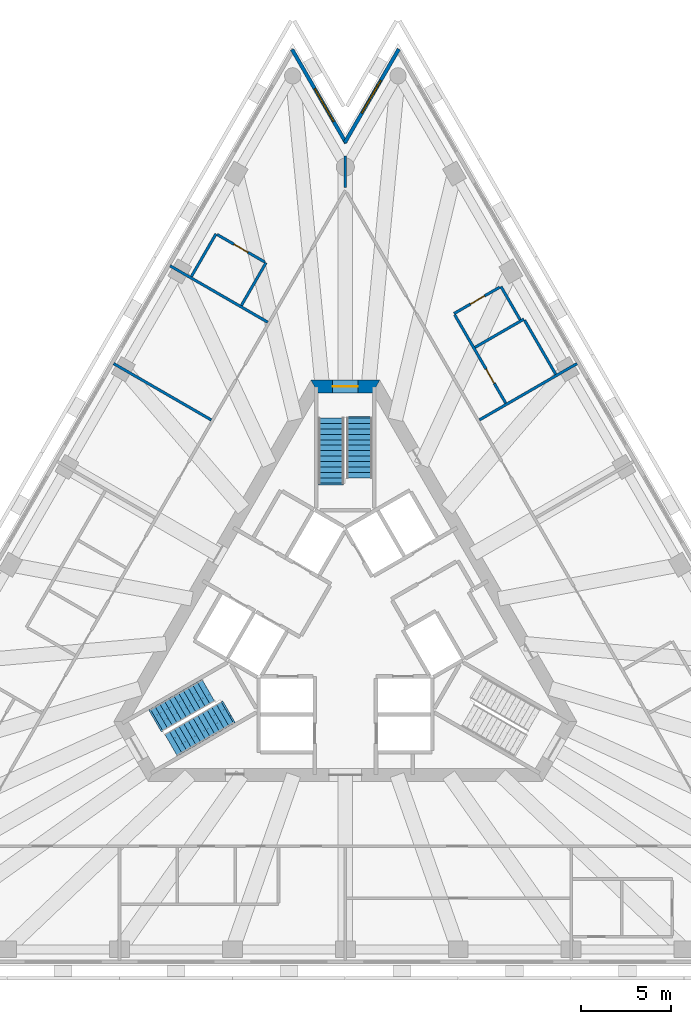
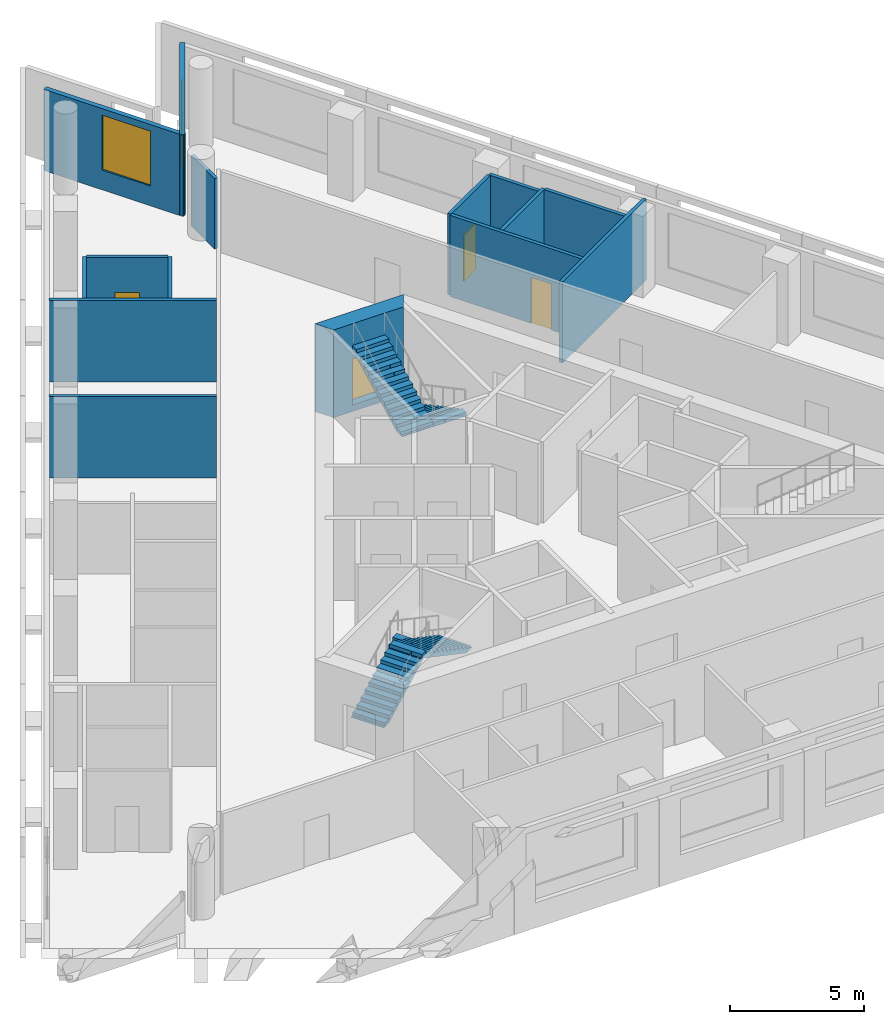
# One storey, part 7 of 10: 15 walls, 4 doors, 4 stair flights, 2 windows, 6 openings, 2 elements without a shape of their own.
"""IFC4 building model written with IfcOpenShell, lengths in metres."""

from ifc_helpers import new_model, si_unit, direction, frame, frame_2d, origin, place, context, subcontext, project, spatial, polyline, rectangle, outline, extrude, material, layer, layer_set, layer_usage, type_object, element, fill, aggregate, save


model = new_model("IFC4")

# Units and contexts
model_context = context("Model", 3, precision=1e-05, world=origin(), true_north=direction((0.0, 1.0)))
body_context = subcontext(model_context, "Body", "Model", "MODEL_VIEW")
ifc_project = project(units=[si_unit("LENGTHUNIT", "METRE"), si_unit("AREAUNIT", "SQUARE_METRE"), si_unit("VOLUMEUNIT", "CUBIC_METRE"), si_unit("PLANEANGLEUNIT", "RADIAN"), si_unit("MASSUNIT", "GRAM", prefix="KILO")], contexts=[model_context])

# Site, building, storey
site_placement = place(None, origin())
site = spatial("IfcSite", under=ifc_project, at=site_placement, CompositionType="ELEMENT")
building_placement = place(site_placement, origin())
building = spatial("IfcBuilding", under=site, at=building_placement, Name="Triada Interchange Tower", CompositionType="ELEMENT")
storey_placement = place(building_placement, frame((0.0, 0.0, 191.300048828125)))
storey = spatial("IfcBuildingStorey", under=building, at=storey_placement, Name="L44", CompositionType="ELEMENT", Elevation=191.300048828125)

# Wall, opening, door
ifc_material_1 = material(Name="Concrete C50/60", Category="concrete")
ifc_layer_1 = layer(ifc_material_1, 0.699951171875)
ifc_layer_set_1 = layer_set([ifc_layer_1], Name="Core wall C 700")
wall_type_1 = type_object("IfcWallType", Name="Core wall C 700", PredefinedType="SHEAR", material=ifc_layer_set_1)
wall_1_placement = place(storey_placement, frame((1.702880859375, 13.35009765625, -0.300048828125), z_axis=(0.0, 0.0, 1.0), x_axis=(-1.0, 0.0, 0.0)))
wall_1 = element("IfcWall", 1, at=wall_1_placement, inside=storey, type_object=wall_type_1, Name="Core wall WC01 L44", PredefinedType="SHEAR", context=body_context, shape_type="SweptSolid", body=[
    extrude(outline(polyline([(-0.201904296875, -0.35009765625), (1.703125, -0.35009765625), (3.60791015625, -0.35009765625), (3.2041015625, 0.35009765625), (1.703125, 0.35009765625), (0.201904296875, 0.35009765625), (-0.201904296875, -0.35009765625)])), origin(), (0.0, 0.0, 1.0), 4.0),
])
opening_1_placement = place(wall_1_placement, frame((1.0029296875, 0.0, 0.300048828125)))
opening_1 = element("IfcOpeningElement", 2, at=opening_1_placement, cuts=wall_1, Name="Opening D44-40", PredefinedType="OPENING", context=body_context, shape_type="SweptSolid", body=[
    extrude(rectangle(XDim=1.39990234375, YDim=2.10009765625, at=frame_2d((0.699951171875, 1.050048828125))), frame((0.0, 0.360107421875, 0.0), z_axis=(0.0, -1.0, 0.0), x_axis=(1.0, 0.0, 0.0)), (0.0, 0.0, 1.0), 0.72021484375),
])
ifc_material_2 = material(Name="Steel S235 door leaf", Category="steel")
door_type_1 = type_object("IfcDoorType", Name="STAIR DOOR 1400 EI2 90-C5S200", OperationType="DOUBLE_DOOR_SINGLE_SWING", PredefinedType="DOOR", material=ifc_material_2)
door_1_placement = place(opening_1_placement, origin())
door_1 = element("IfcDoor", 3, at=door_1_placement, inside=storey, type_object=door_type_1, Name="Door D44-40 L44", OperationType="DOUBLE_DOOR_SINGLE_SWING", OverallHeight=2.10009765625, OverallWidth=1.39990234375, PredefinedType="DOOR", context=body_context, shape_type="SweptSolid", body=[
    extrude(rectangle(XDim=1.39990234375, YDim=2.10009765625, at=frame_2d((0.699951171875, 1.050048828125))), frame((0.0, 0.02490234375, 0.0), z_axis=(0.0, -1.0, 0.0), x_axis=(1.0, 0.0, 0.0)), (0.0, 0.0, 1.0), 0.050048828125),
])
fill(opening_1, door_1)

# Wall, opening, window
ifc_material_3 = material(Name="Cement board")
ifc_layer_2 = layer(ifc_material_3, 0.02001953125, Name="Cement board cladding")
ifc_material_4 = material(Name="Sheathing board")
ifc_layer_3 = layer(ifc_material_4, 0.014892578125, Name="Sheathing board")
ifc_material_5 = material(Name="Mineral wool")
ifc_layer_4 = layer(ifc_material_5, 0.14990234375, Name="Mineral wool between steel studs")
ifc_material_6 = material(Name="Gypsum board")
ifc_layer_5 = layer(ifc_material_6, 0.014892578125, Name="Plasterboard lining")
ifc_layer_set_2 = layer_set([ifc_layer_2, ifc_layer_3, ifc_layer_4, ifc_layer_5], Name="External wall 200")
ifc_layer_usage = layer_usage(ifc_layer_set_2, "AXIS2", "POSITIVE", -0.10009765625)
wall_type_2 = type_object("IfcWallType", Name="External wall 200", PredefinedType="ELEMENTEDWALL", material=ifc_layer_set_2)
wall_2_placement = place(storey_placement, frame((2.958984375, 32.02001953125, 0.0), z_axis=(0.0, 0.0, 1.0), x_axis=(-0.499967146315, -0.866044371037, 0.0)))
wall_2 = element("IfcWall", 4, at=wall_2_placement, inside=storey, type_object=wall_type_2, material=ifc_layer_usage, Name="External wall L44 N-1", PredefinedType="ELEMENTEDWALL", context=body_context, shape_type="SweptSolid", body=[
    extrude(rectangle(XDim=5.98828125, YDim=0.199951171875, at=frame_2d((2.994140625, 0.0))), origin(), (0.0, 0.0, 1.0), 3.699951171875),
])
opening_2_placement = place(wall_2_placement, frame((1.989990234375, 0.0, 0.89990234375)))
opening_2 = element("IfcOpeningElement", 5, at=opening_2_placement, cuts=wall_2, Name="Opening WC29", PredefinedType="OPENING", context=body_context, shape_type="SweptSolid", body=[
    extrude(rectangle(XDim=2.10009765625, YDim=2.5, at=frame_2d((1.050048828125, 1.25))), frame((0.0, 0.10986328125, 0.0), z_axis=(0.0, -1.0, 0.0), x_axis=(1.0, 0.0, 0.0)), (0.0, 0.0, 1.0), 0.219970703125),
])
ifc_material_7 = material(Name="Double glazed aluminium window", Category="aluminium")
window_type = type_object("IfcWindowType", Name="Ribbon window C pocket", PartitioningType="SINGLE_PANEL", PredefinedType="WINDOW", material=ifc_material_7)
window_1_placement = place(opening_2_placement, origin())
window_1 = element("IfcWindow", 6, at=window_1_placement, inside=storey, type_object=window_type, Name="Window L44 N-1 1", OverallHeight=2.5, OverallWidth=2.10009765625, PartitioningType="SINGLE_PANEL", PredefinedType="WINDOW", context=body_context, shape_type="SweptSolid", body=[
    extrude(rectangle(XDim=2.10009765625, YDim=2.5, at=frame_2d((1.050048828125, 1.25))), frame((0.0, 0.030029296875, 0.0), z_axis=(0.0, -1.0, 0.0), x_axis=(1.0, 0.0, 0.0)), (0.0, 0.0, 1.0), 0.06005859375),
])
fill(opening_2, window_1)

wall_3_placement = place(storey_placement, frame((0.044921875, 26.81689453125, 0.0), z_axis=(0.0, 0.0, 1.0), x_axis=(-0.499967146315, 0.866044371037, 0.0)))
wall_3 = element("IfcWall", 7, at=wall_3_placement, inside=storey, type_object=wall_type_2, material=ifc_layer_usage, Name="External wall L44 N-2", PredefinedType="ELEMENTEDWALL", context=body_context, shape_type="SweptSolid", body=[
    extrude(rectangle(XDim=5.98828125, YDim=0.199951171875, at=frame_2d((2.994140625, 0.0))), origin(), (0.0, 0.0, 1.0), 3.699951171875),
])
opening_3_placement = place(wall_3_placement, frame((1.389892578125, 0.0, 0.89990234375)))
opening_3 = element("IfcOpeningElement", 8, at=opening_3_placement, cuts=wall_3, Name="Opening WC30", PredefinedType="OPENING", context=body_context, shape_type="SweptSolid", body=[
    extrude(rectangle(XDim=2.10009765625, YDim=2.5, at=frame_2d((1.050048828125, 1.25))), frame((0.0, 0.10986328125, 0.0), z_axis=(0.0, -1.0, 0.0), x_axis=(1.0, 0.0, 0.0)), (0.0, 0.0, 1.0), 0.219970703125),
])
window_2_placement = place(opening_3_placement, origin())
window_2 = element("IfcWindow", 9, at=window_2_placement, inside=storey, type_object=window_type, Name="Window L44 N-2 1", OverallHeight=2.5, OverallWidth=2.10009765625, PartitioningType="SINGLE_PANEL", PredefinedType="WINDOW", context=body_context, shape_type="SweptSolid", body=[
    extrude(rectangle(XDim=2.10009765625, YDim=2.5, at=frame_2d((1.050048828125, 1.25))), frame((0.0, 0.030029296875, 0.0), z_axis=(0.0, -1.0, 0.0), x_axis=(1.0, 0.0, 0.0)), (0.0, 0.0, 1.0), 0.06005859375),
])
fill(opening_3, window_2)

# Walls
ifc_material_8 = material(Name="Gypsum board partition")
ifc_layer_6 = layer(ifc_material_8, 0.14990234375)
ifc_layer_set_3 = layer_set([ifc_layer_6], Name="PARTITION 150 EI 180")
wall_type_3 = type_object("IfcWallType", Name="PARTITION 150 EI 180", PredefinedType="PARTITIONING", material=ifc_layer_set_3)
for number, where, z_axis, x_axis, name in (
    (10, (-12.822998046875, 14.618896484375, 0.0), (0.0, 0.0, 1.0), (0.866036385336, -0.499980978912, 0.0), "Wall L44 12"),
    (11, (-9.698974609375, 20.030029296875, 0.0), (0.0, 0.0, 1.0), (0.86601944389, -0.500010322698, 0.0), "Wall L44 15"),
):
    element("IfcWall", number, at=place(storey_placement, frame(where, z_axis=z_axis, x_axis=x_axis)), inside=storey, type_object=wall_type_3, Name=name, PredefinedType="PARTITIONING", context=body_context, shape_type="SweptSolid", body=[
        extrude(rectangle(XDim=6.239990234375, YDim=0.14990234375, at=frame_2d((3.1201171875, 0.0))), origin(), (0.0, 0.0, 1.0), 3.699951171875),
    ])
wall_4_placement = place(storey_placement, frame((0.0, 24.35009765625, 0.0), z_axis=(0.0, 0.0, 1.0), x_axis=(0.0, 1.0, 0.0)))
element("IfcWall", 12, at=wall_4_placement, inside=storey, type_object=wall_type_3, Name="Wall L44 20", PredefinedType="PARTITIONING", context=body_context, shape_type="SweptSolid", body=[
    extrude(rectangle(XDim=1.764892578125, YDim=0.14990234375, at=frame_2d((0.88232421875, 0.0))), origin(), (0.0, 0.0, 1.0), 3.199951171875),
])
wall_5_placement = place(storey_placement, frame((7.4189453125, 11.4990234375, 0.0), z_axis=(0.0, 0.0, 1.0), x_axis=(0.866036385336, 0.499980978912, 0.0)))
element("IfcWall", 13, at=wall_5_placement, inside=storey, type_object=wall_type_3, Name="Wall L44 22", PredefinedType="PARTITIONING", context=body_context, shape_type="SweptSolid", body=[
    extrude(rectangle(XDim=6.239990234375, YDim=0.14990234375, at=frame_2d((3.1201171875, 0.0))), origin(), (0.0, 0.0, 1.0), 3.699951171875),
])
ifc_layer_7 = layer(ifc_material_8, 0.14990234375)
ifc_layer_set_4 = layer_set([ifc_layer_7], Name="PARTITION 150 EI 90")
wall_type_4 = type_object("IfcWallType", Name="PARTITION 150 EI 90", PredefinedType="PARTITIONING", material=ifc_layer_set_4)
for number, where, z_axis, x_axis, name in (
    (14, (-8.52099609375, 19.43603515625, 0.0), (0.0, 0.0, 1.0), (0.500156697144, 0.865934915743, 0.0), "Wall L44 28"),
    (15, (-5.751953125, 17.837890625, 0.0), (0.0, 0.0, 1.0), (0.500117899823, 0.865957323588, 0.0), "Wall L44 31"),
):
    element("IfcWall", number, at=place(storey_placement, frame(where, z_axis=z_axis, x_axis=x_axis)), inside=storey, type_object=wall_type_4, Name=name, PredefinedType="PARTITIONING", context=body_context, shape_type="SweptSolid", body=[
        extrude(rectangle(XDim=2.725341796875, YDim=0.14990234375, at=frame_2d((1.36279296875, 0.0))), origin(), (0.0, 0.0, 1.0), 3.699951171875),
    ])

# Wall, opening, door
wall_6_placement = place(storey_placement, frame((-7.093017578125, 21.759033203125, 0.0), z_axis=(0.0, 0.0, 1.0), x_axis=(0.865976105257, -0.500085377835, 0.0)))
wall_6 = element("IfcWall", 16, at=wall_6_placement, inside=storey, type_object=wall_type_4, Name="Wall L44 33", PredefinedType="PARTITIONING", context=body_context, shape_type="SweptSolid", body=[
    extrude(rectangle(XDim=3.04736328125, YDim=0.14990234375, at=frame_2d((1.523681640625, 0.0))), origin(), (0.0, 0.0, 1.0), 3.699951171875),
])
opening_4_placement = place(wall_6_placement, frame((1.074951171875, 0.0, 0.0)))
opening_4 = element("IfcOpeningElement", 17, at=opening_4_placement, cuts=wall_6, Name="Opening D44-29", PredefinedType="OPENING", context=body_context, shape_type="SweptSolid", body=[
    extrude(rectangle(XDim=0.89990234375, YDim=2.10009765625, at=frame_2d((0.449951171875, 1.050048828125))), frame((0.0, 0.0849609375, 0.0), z_axis=(0.0, -1.0, 0.0), x_axis=(1.0, 0.0, 0.0)), (0.0, 0.0, 1.0), 0.169921875),
])
door_type_2 = type_object("IfcDoorType", Name="ROOM DOOR 900 EI2 45-C5S200", OperationType="NOTDEFINED", PredefinedType="DOOR", material=ifc_material_2)
door_2_placement = place(opening_4_placement, origin())
door_2 = element("IfcDoor", 18, at=door_2_placement, inside=storey, type_object=door_type_2, Name="Door D44-29 L44", OperationType="SINGLE_SWING_RIGHT", OverallHeight=2.10009765625, OverallWidth=0.89990234375, PredefinedType="DOOR", context=body_context, shape_type="SweptSolid", body=[
    extrude(rectangle(XDim=0.89990234375, YDim=2.10009765625, at=frame_2d((0.449951171875, 1.050048828125))), frame((0.0, 0.02490234375, 0.0), z_axis=(0.0, -1.0, 0.0), x_axis=(1.0, 0.0, 0.0)), (0.0, 0.0, 1.0), 0.050048828125),
])
fill(opening_4, door_2)

# Walls
wall_7_placement = place(storey_placement, frame((7.177978515625, 15.51708984375, 0.0), z_axis=(0.0, 0.0, 1.0), x_axis=(0.866084027935, 0.499898446243, 0.0)))
element("IfcWall", 19, at=wall_7_placement, inside=storey, type_object=wall_type_4, Name="Wall L44 35", PredefinedType="PARTITIONING", context=body_context, shape_type="SweptSolid", body=[
    extrude(rectangle(XDim=3.122314453125, YDim=0.14990234375, at=frame_2d((1.56103515625, 0.0))), origin(), (0.0, 0.0, 1.0), 3.699951171875),
])
wall_8_placement = place(storey_placement, frame((8.611083984375, 18.885009765625, 0.0), z_axis=(0.0, 0.0, 1.0), x_axis=(0.500017365573, -0.866015377534, 0.0)))
element("IfcWall", 20, at=wall_8_placement, inside=storey, type_object=wall_type_4, Name="Wall L44 36", PredefinedType="PARTITIONING", context=body_context, shape_type="SweptSolid", body=[
    extrude(rectangle(XDim=2.1259765625, YDim=0.14990234375, at=frame_2d((1.06298828125, 0.0))), origin(), (0.0, 0.0, 1.0), 3.699951171875),
])

# Wall, opening, door
wall_9_placement = place(storey_placement, frame((6.012939453125, 17.385009765625, 0.0), z_axis=(0.0, 0.0, 1.0), x_axis=(0.866098016745, 0.499874209568, 0.0)))
wall_9 = element("IfcWall", 21, at=wall_9_placement, inside=storey, type_object=wall_type_4, Name="Wall L44 37", PredefinedType="PARTITIONING", context=body_context, shape_type="SweptSolid", body=[
    extrude(rectangle(XDim=2.924560546875, YDim=0.14990234375, at=frame_2d((1.46240234375, 0.0))), origin(), (0.0, 0.0, 1.0), 3.699951171875),
])
opening_5_placement = place(wall_9_placement, frame((1.050048828125, 0.0, 0.0)))
opening_5 = element("IfcOpeningElement", 22, at=opening_5_placement, cuts=wall_9, Name="Opening D44-27", PredefinedType="OPENING", context=body_context, shape_type="SweptSolid", body=[
    extrude(rectangle(XDim=0.89990234375, YDim=2.10009765625, at=frame_2d((0.449951171875, 1.050048828125))), frame((0.0, 0.0849609375, 0.0), z_axis=(0.0, -1.0, 0.0), x_axis=(1.0, 0.0, 0.0)), (0.0, 0.0, 1.0), 0.169921875),
])
door_type_3 = type_object("IfcDoorType", Name="SERVICE DOOR 900 EI2 45-C5S200", OperationType="NOTDEFINED", PredefinedType="DOOR", material=ifc_material_2)
door_3_placement = place(opening_5_placement, origin())
door_3 = element("IfcDoor", 23, at=door_3_placement, inside=storey, type_object=door_type_3, Name="Door D44-27 L44", OperationType="SINGLE_SWING_LEFT", OverallHeight=2.10009765625, OverallWidth=0.89990234375, PredefinedType="DOOR", context=body_context, shape_type="SweptSolid", body=[
    extrude(rectangle(XDim=0.89990234375, YDim=2.10009765625, at=frame_2d((0.449951171875, 1.050048828125))), frame((0.0, 0.02490234375, 0.0), z_axis=(0.0, -1.0, 0.0), x_axis=(1.0, 0.0, 0.0)), (0.0, 0.0, 1.0), 0.050048828125),
])
fill(opening_5, door_3)

wall_10_placement = place(storey_placement, frame((6.051025390625, 17.320068359375, 0.0), z_axis=(0.0, 0.0, 1.0), x_axis=(0.499991765245, -0.86603015807, 0.0)))
wall_10 = element("IfcWall", 24, at=wall_10_placement, inside=storey, type_object=wall_type_4, Name="Wall L44 38", PredefinedType="PARTITIONING", context=body_context, shape_type="SweptSolid", body=[
    extrude(rectangle(XDim=5.64990234375, YDim=0.14990234375, at=frame_2d((2.824951171875, 0.0))), origin(), (0.0, 0.0, 1.0), 3.699951171875),
])
opening_6_placement = place(wall_10_placement, frame((3.47509765625, 0.0, 0.0)))
opening_6 = element("IfcOpeningElement", 25, at=opening_6_placement, cuts=wall_10, Name="Opening D44-26", PredefinedType="OPENING", context=body_context, shape_type="SweptSolid", body=[
    extrude(rectangle(XDim=0.89990234375, YDim=2.10009765625, at=frame_2d((0.449951171875, 1.050048828125))), frame((0.0, 0.0849609375, 0.0), z_axis=(0.0, -1.0, 0.0), x_axis=(1.0, 0.0, 0.0)), (0.0, 0.0, 1.0), 0.169921875),
])
door_4_placement = place(opening_6_placement, origin())
door_4 = element("IfcDoor", 26, at=door_4_placement, inside=storey, type_object=door_type_2, Name="Door D44-26 L44", OperationType="SINGLE_SWING_RIGHT", OverallHeight=2.10009765625, OverallWidth=0.89990234375, PredefinedType="DOOR", context=body_context, shape_type="SweptSolid", body=[
    extrude(rectangle(XDim=0.89990234375, YDim=2.10009765625, at=frame_2d((0.449951171875, 1.050048828125))), frame((0.0, 0.02490234375, 0.0), z_axis=(0.0, -1.0, 0.0), x_axis=(1.0, 0.0, 0.0)), (0.0, 0.0, 1.0), 0.050048828125),
])
fill(opening_6, door_4)

# Wall
wall_11_placement = place(storey_placement, frame((9.919921875, 17.012939453125, 0.0), z_axis=(0.0, 0.0, 1.0), x_axis=(0.49998991961, -0.866031223622, 0.0)))
element("IfcWall", 27, at=wall_11_placement, inside=storey, type_object=wall_type_4, Name="Wall L44 39", PredefinedType="PARTITIONING", context=body_context, shape_type="SweptSolid", body=[
    extrude(rectangle(XDim=3.4501953125, YDim=0.14990234375, at=frame_2d((1.72509765625, 0.0))), origin(), (0.0, 0.0, 1.0), 3.699951171875),
])

# Stair, stair flights
ifc_material_9 = material(Name="Concrete C35/45", Category="concrete")
stair_type = type_object("IfcStairType", Name="HALF TURN STAIR 1400", PredefinedType="HALF_TURN_STAIR", material=ifc_material_9)
stair_1_placement = place(storey_placement, origin())
stair_1 = element("IfcStair", 28, at=stair_1_placement, inside=storey, type_object=stair_type, Name="Exit stair S44-1", PredefinedType="HALF_TURN_STAIR")
stair_flight_type = type_object("IfcStairFlightType", Name="STRAIGHT STAIR FLIGHT 1400", PredefinedType="STRAIGHT", material=ifc_material_9)
stair_flight_1_placement = place(storey_placement, frame((0.800048828125, 11.60009765625, 0.0), z_axis=(0.0, 0.0, 1.0), x_axis=(0.0, -1.0, 0.0)))
stair_flight_1 = element("IfcStairFlight", 29, at=stair_flight_1_placement, type_object=stair_flight_type, Name="S44-1 flight 1", NumberOfRisers=12, NumberOfTreads=11, PredefinedType="STRAIGHT", RiserHeight=0.16, TreadLength=0.3, context=body_context, shape_type="SweptSolid", body=[
    extrude(outline(polyline([(-0.10009765625, 0.0), (-0.10009765625, 0.02001953125), (0.0, 0.02001953125), (0.0, 0.159912109375), (0.300048828125, 0.159912109375), (0.300048828125, 0.320068359375), (0.60009765625, 0.320068359375), (0.60009765625, 0.47998046875), (0.89990234375, 0.47998046875), (0.89990234375, 0.639892578125), (1.199951171875, 0.639892578125), (1.199951171875, 0.800048828125), (1.5, 0.800048828125), (1.5, 0.9599609375), (1.800048828125, 0.9599609375), (1.800048828125, 1.1201171875), (2.10009765625, 1.1201171875), (2.10009765625, 1.280029296875), (2.39990234375, 1.280029296875), (2.39990234375, 1.43994140625), (2.699951171875, 1.43994140625), (2.699951171875, 1.60009765625), (3.0, 1.60009765625), (3.0, 1.760009765625), (3.300048828125, 1.760009765625), (3.303955078125, 1.760009765625), (3.303955078125, 1.919921875), (3.303955078125, 1.590087890625), (0.318603515625, 0.0), (-0.10009765625, 0.0)])), frame((0.0, 0.699951171875, 0.0), z_axis=(0.0, -1.0, 0.0), x_axis=(1.0, 0.0, 0.0)), (0.0, 0.0, 1.0), 0.46533203125),
    extrude(outline(polyline([(-0.10009765625, 0.0), (-0.10009765625, 0.02001953125), (0.0, 0.02001953125), (0.0, 0.159912109375), (0.300048828125, 0.159912109375), (0.300048828125, 0.320068359375), (0.60009765625, 0.320068359375), (0.60009765625, 0.47998046875), (0.89990234375, 0.47998046875), (0.89990234375, 0.639892578125), (1.199951171875, 0.639892578125), (1.199951171875, 0.800048828125), (1.5, 0.800048828125), (1.5, 0.9599609375), (1.800048828125, 0.9599609375), (1.800048828125, 1.1201171875), (2.10009765625, 1.1201171875), (2.10009765625, 1.280029296875), (2.39990234375, 1.280029296875), (2.39990234375, 1.43994140625), (2.699951171875, 1.43994140625), (2.699951171875, 1.60009765625), (3.0, 1.60009765625), (3.0, 1.760009765625), (3.300048828125, 1.760009765625), (3.303955078125, 1.760009765625), (3.303955078125, 1.919921875), (3.303955078125, 1.590087890625), (0.318603515625, 0.0), (-0.10009765625, 0.0)])), frame((0.0, 0.232666015625, 0.0), z_axis=(0.0, -1.0, 0.0), x_axis=(1.0, 0.0, 0.0)), (0.0, 0.0, 1.0), 0.46533203125),
    extrude(outline(polyline([(-0.10009765625, 0.0), (-0.10009765625, 0.02001953125), (0.0, 0.02001953125), (0.0, 0.159912109375), (0.300048828125, 0.159912109375), (0.300048828125, 0.320068359375), (0.60009765625, 0.320068359375), (0.60009765625, 0.47998046875), (0.89990234375, 0.47998046875), (0.89990234375, 0.639892578125), (1.199951171875, 0.639892578125), (1.199951171875, 0.800048828125), (1.5, 0.800048828125), (1.5, 0.9599609375), (1.800048828125, 0.9599609375), (1.800048828125, 1.1201171875), (2.10009765625, 1.1201171875), (2.10009765625, 1.280029296875), (2.39990234375, 1.280029296875), (2.39990234375, 1.43994140625), (2.699951171875, 1.43994140625), (2.699951171875, 1.60009765625), (3.0, 1.60009765625), (3.0, 1.760009765625), (3.300048828125, 1.760009765625), (3.303955078125, 1.760009765625), (3.303955078125, 1.919921875), (3.303955078125, 1.590087890625), (0.318603515625, 0.0), (-0.10009765625, 0.0)])), frame((0.0, -0.234619140625, 0.0), z_axis=(0.0, -1.0, 0.0), x_axis=(1.0, 0.0, 0.0)), (0.0, 0.0, 1.0), 0.46533203125),
])
stair_flight_2_placement = place(storey_placement, frame((-0.800048828125, 8.0, 1.919921875), z_axis=(0.0, 0.0, 1.0), x_axis=(0.0, 1.0, 0.0)))
stair_flight_2 = element("IfcStairFlight", 30, at=stair_flight_2_placement, type_object=stair_flight_type, Name="S44-1 flight 2", NumberOfRisers=13, NumberOfTreads=12, PredefinedType="STRAIGHT", RiserHeight=0.16, TreadLength=0.3, context=body_context, shape_type="SweptSolid", body=[
    extrude(outline(polyline([(-0.10009765625, 0.0), (-0.10009765625, 0.02001953125), (0.0, 0.02001953125), (0.0, 0.159912109375), (0.300048828125, 0.159912109375), (0.300048828125, 0.320068359375), (0.60009765625, 0.320068359375), (0.60009765625, 0.47998046875), (0.89990234375, 0.47998046875), (0.89990234375, 0.639892578125), (1.199951171875, 0.639892578125), (1.199951171875, 0.800048828125), (1.5, 0.800048828125), (1.5, 0.9599609375), (1.800048828125, 0.9599609375), (1.800048828125, 1.1201171875), (2.10009765625, 1.1201171875), (2.10009765625, 1.280029296875), (2.39990234375, 1.280029296875), (2.39990234375, 1.43994140625), (2.699951171875, 1.43994140625), (2.699951171875, 1.60009765625), (3.0, 1.60009765625), (3.0, 1.760009765625), (3.300048828125, 1.760009765625), (3.300048828125, 1.919921875), (3.60009765625, 1.919921875), (3.60400390625, 1.919921875), (3.60400390625, 2.080078125), (3.60400390625, 1.75), (0.318603515625, 0.0), (-0.10009765625, 0.0)])), frame((0.0, 0.699951171875, 0.0), z_axis=(0.0, -1.0, 0.0), x_axis=(1.0, 0.0, 0.0)), (0.0, 0.0, 1.0), 0.46533203125),
    extrude(outline(polyline([(-0.10009765625, 0.0), (-0.10009765625, 0.02001953125), (0.0, 0.02001953125), (0.0, 0.159912109375), (0.300048828125, 0.159912109375), (0.300048828125, 0.320068359375), (0.60009765625, 0.320068359375), (0.60009765625, 0.47998046875), (0.89990234375, 0.47998046875), (0.89990234375, 0.639892578125), (1.199951171875, 0.639892578125), (1.199951171875, 0.800048828125), (1.5, 0.800048828125), (1.5, 0.9599609375), (1.800048828125, 0.9599609375), (1.800048828125, 1.1201171875), (2.10009765625, 1.1201171875), (2.10009765625, 1.280029296875), (2.39990234375, 1.280029296875), (2.39990234375, 1.43994140625), (2.699951171875, 1.43994140625), (2.699951171875, 1.60009765625), (3.0, 1.60009765625), (3.0, 1.760009765625), (3.300048828125, 1.760009765625), (3.300048828125, 1.919921875), (3.60009765625, 1.919921875), (3.60400390625, 1.919921875), (3.60400390625, 2.080078125), (3.60400390625, 1.75), (0.318603515625, 0.0), (-0.10009765625, 0.0)])), frame((0.0, 0.232666015625, 0.0), z_axis=(0.0, -1.0, 0.0), x_axis=(1.0, 0.0, 0.0)), (0.0, 0.0, 1.0), 0.46533203125),
    extrude(outline(polyline([(-0.10009765625, 0.0), (-0.10009765625, 0.02001953125), (0.0, 0.02001953125), (0.0, 0.159912109375), (0.300048828125, 0.159912109375), (0.300048828125, 0.320068359375), (0.60009765625, 0.320068359375), (0.60009765625, 0.47998046875), (0.89990234375, 0.47998046875), (0.89990234375, 0.639892578125), (1.199951171875, 0.639892578125), (1.199951171875, 0.800048828125), (1.5, 0.800048828125), (1.5, 0.9599609375), (1.800048828125, 0.9599609375), (1.800048828125, 1.1201171875), (2.10009765625, 1.1201171875), (2.10009765625, 1.280029296875), (2.39990234375, 1.280029296875), (2.39990234375, 1.43994140625), (2.699951171875, 1.43994140625), (2.699951171875, 1.60009765625), (3.0, 1.60009765625), (3.0, 1.760009765625), (3.300048828125, 1.760009765625), (3.300048828125, 1.919921875), (3.60009765625, 1.919921875), (3.60400390625, 1.919921875), (3.60400390625, 2.080078125), (3.60400390625, 1.75), (0.318603515625, 0.0), (-0.10009765625, 0.0)])), frame((0.0, -0.234619140625, 0.0), z_axis=(0.0, -1.0, 0.0), x_axis=(1.0, 0.0, 0.0)), (0.0, 0.0, 1.0), 0.46533203125),
])
aggregate(stair_1, [stair_flight_1, stair_flight_2])

stair_2_placement = place(storey_placement, origin())
stair_2 = element("IfcStair", 31, at=stair_2_placement, inside=storey, type_object=stair_type, Name="Exit stair S44-2", PredefinedType="HALF_TURN_STAIR")
stair_flight_3_placement = place(storey_placement, frame((-10.446044921875, -5.10693359375, 0.0), z_axis=(0.0, 0.0, 1.0), x_axis=(0.866025403784, 0.5, 0.0)))
stair_flight_3 = element("IfcStairFlight", 32, at=stair_flight_3_placement, type_object=stair_flight_type, Name="S44-2 flight 1", NumberOfRisers=12, NumberOfTreads=11, PredefinedType="STRAIGHT", RiserHeight=0.16, TreadLength=0.3, context=body_context, shape_type="SweptSolid", body=[
    extrude(outline(polyline([(-0.10009765625, 0.0), (-0.10009765625, 0.02001953125), (0.0, 0.02001953125), (0.0, 0.159912109375), (0.300048828125, 0.159912109375), (0.300048828125, 0.320068359375), (0.60009765625, 0.320068359375), (0.60009765625, 0.47998046875), (0.89990234375, 0.47998046875), (0.89990234375, 0.639892578125), (1.199951171875, 0.639892578125), (1.199951171875, 0.800048828125), (1.5, 0.800048828125), (1.5, 0.9599609375), (1.800048828125, 0.9599609375), (1.800048828125, 1.1201171875), (2.10009765625, 1.1201171875), (2.10009765625, 1.280029296875), (2.39990234375, 1.280029296875), (2.39990234375, 1.43994140625), (2.699951171875, 1.43994140625), (2.699951171875, 1.60009765625), (3.0, 1.60009765625), (3.0, 1.760009765625), (3.300048828125, 1.760009765625), (3.303955078125, 1.760009765625), (3.303955078125, 1.919921875), (3.303955078125, 1.590087890625), (0.318603515625, 0.0), (-0.10009765625, 0.0)])), frame((0.0, 0.699951171875, 0.0), z_axis=(0.0, -1.0, 0.0), x_axis=(1.0, 0.0, 0.0)), (0.0, 0.0, 1.0), 0.46533203125),
    extrude(outline(polyline([(-0.10009765625, 0.0), (-0.10009765625, 0.02001953125), (0.0, 0.02001953125), (0.0, 0.159912109375), (0.300048828125, 0.159912109375), (0.300048828125, 0.320068359375), (0.60009765625, 0.320068359375), (0.60009765625, 0.47998046875), (0.89990234375, 0.47998046875), (0.89990234375, 0.639892578125), (1.199951171875, 0.639892578125), (1.199951171875, 0.800048828125), (1.5, 0.800048828125), (1.5, 0.9599609375), (1.800048828125, 0.9599609375), (1.800048828125, 1.1201171875), (2.10009765625, 1.1201171875), (2.10009765625, 1.280029296875), (2.39990234375, 1.280029296875), (2.39990234375, 1.43994140625), (2.699951171875, 1.43994140625), (2.699951171875, 1.60009765625), (3.0, 1.60009765625), (3.0, 1.760009765625), (3.300048828125, 1.760009765625), (3.303955078125, 1.760009765625), (3.303955078125, 1.919921875), (3.303955078125, 1.590087890625), (0.318603515625, 0.0), (-0.10009765625, 0.0)])), frame((0.0, 0.232666015625, 0.0), z_axis=(0.0, -1.0, 0.0), x_axis=(1.0, 0.0, 0.0)), (0.0, 0.0, 1.0), 0.46533203125),
    extrude(outline(polyline([(-0.10009765625, 0.0), (-0.10009765625, 0.02001953125), (0.0, 0.02001953125), (0.0, 0.159912109375), (0.300048828125, 0.159912109375), (0.300048828125, 0.320068359375), (0.60009765625, 0.320068359375), (0.60009765625, 0.47998046875), (0.89990234375, 0.47998046875), (0.89990234375, 0.639892578125), (1.199951171875, 0.639892578125), (1.199951171875, 0.800048828125), (1.5, 0.800048828125), (1.5, 0.9599609375), (1.800048828125, 0.9599609375), (1.800048828125, 1.1201171875), (2.10009765625, 1.1201171875), (2.10009765625, 1.280029296875), (2.39990234375, 1.280029296875), (2.39990234375, 1.43994140625), (2.699951171875, 1.43994140625), (2.699951171875, 1.60009765625), (3.0, 1.60009765625), (3.0, 1.760009765625), (3.300048828125, 1.760009765625), (3.303955078125, 1.760009765625), (3.303955078125, 1.919921875), (3.303955078125, 1.590087890625), (0.318603515625, 0.0), (-0.10009765625, 0.0)])), frame((0.0, -0.234619140625, 0.0), z_axis=(0.0, -1.0, 0.0), x_axis=(1.0, 0.0, 0.0)), (0.0, 0.0, 1.0), 0.46533203125),
])
stair_flight_4_placement = place(storey_placement, frame((-6.528076171875, -4.693115234375, 1.919921875), z_axis=(0.0, 0.0, 1.0), x_axis=(-0.866025403784, -0.5, 0.0)))
stair_flight_4 = element("IfcStairFlight", 33, at=stair_flight_4_placement, type_object=stair_flight_type, Name="S44-2 flight 2", NumberOfRisers=13, NumberOfTreads=12, PredefinedType="STRAIGHT", RiserHeight=0.16, TreadLength=0.3, context=body_context, shape_type="SweptSolid", body=[
    extrude(outline(polyline([(-0.10009765625, 0.0), (-0.10009765625, 0.02001953125), (0.0, 0.02001953125), (0.0, 0.159912109375), (0.300048828125, 0.159912109375), (0.300048828125, 0.320068359375), (0.60009765625, 0.320068359375), (0.60009765625, 0.47998046875), (0.89990234375, 0.47998046875), (0.89990234375, 0.639892578125), (1.199951171875, 0.639892578125), (1.199951171875, 0.800048828125), (1.5, 0.800048828125), (1.5, 0.9599609375), (1.800048828125, 0.9599609375), (1.800048828125, 1.1201171875), (2.10009765625, 1.1201171875), (2.10009765625, 1.280029296875), (2.39990234375, 1.280029296875), (2.39990234375, 1.43994140625), (2.699951171875, 1.43994140625), (2.699951171875, 1.60009765625), (3.0, 1.60009765625), (3.0, 1.760009765625), (3.300048828125, 1.760009765625), (3.300048828125, 1.919921875), (3.60009765625, 1.919921875), (3.60400390625, 1.919921875), (3.60400390625, 2.080078125), (3.60400390625, 1.75), (0.318603515625, 0.0), (-0.10009765625, 0.0)])), frame((0.0, 0.699951171875, 0.0), z_axis=(0.0, -1.0, 0.0), x_axis=(1.0, 0.0, 0.0)), (0.0, 0.0, 1.0), 0.46533203125),
    extrude(outline(polyline([(-0.10009765625, 0.0), (-0.10009765625, 0.02001953125), (0.0, 0.02001953125), (0.0, 0.159912109375), (0.300048828125, 0.159912109375), (0.300048828125, 0.320068359375), (0.60009765625, 0.320068359375), (0.60009765625, 0.47998046875), (0.89990234375, 0.47998046875), (0.89990234375, 0.639892578125), (1.199951171875, 0.639892578125), (1.199951171875, 0.800048828125), (1.5, 0.800048828125), (1.5, 0.9599609375), (1.800048828125, 0.9599609375), (1.800048828125, 1.1201171875), (2.10009765625, 1.1201171875), (2.10009765625, 1.280029296875), (2.39990234375, 1.280029296875), (2.39990234375, 1.43994140625), (2.699951171875, 1.43994140625), (2.699951171875, 1.60009765625), (3.0, 1.60009765625), (3.0, 1.760009765625), (3.300048828125, 1.760009765625), (3.300048828125, 1.919921875), (3.60009765625, 1.919921875), (3.60400390625, 1.919921875), (3.60400390625, 2.080078125), (3.60400390625, 1.75), (0.318603515625, 0.0), (-0.10009765625, 0.0)])), frame((0.0, 0.232666015625, 0.0), z_axis=(0.0, -1.0, 0.0), x_axis=(1.0, 0.0, 0.0)), (0.0, 0.0, 1.0), 0.46533203125),
    extrude(outline(polyline([(-0.10009765625, 0.0), (-0.10009765625, 0.02001953125), (0.0, 0.02001953125), (0.0, 0.159912109375), (0.300048828125, 0.159912109375), (0.300048828125, 0.320068359375), (0.60009765625, 0.320068359375), (0.60009765625, 0.47998046875), (0.89990234375, 0.47998046875), (0.89990234375, 0.639892578125), (1.199951171875, 0.639892578125), (1.199951171875, 0.800048828125), (1.5, 0.800048828125), (1.5, 0.9599609375), (1.800048828125, 0.9599609375), (1.800048828125, 1.1201171875), (2.10009765625, 1.1201171875), (2.10009765625, 1.280029296875), (2.39990234375, 1.280029296875), (2.39990234375, 1.43994140625), (2.699951171875, 1.43994140625), (2.699951171875, 1.60009765625), (3.0, 1.60009765625), (3.0, 1.760009765625), (3.300048828125, 1.760009765625), (3.300048828125, 1.919921875), (3.60009765625, 1.919921875), (3.60400390625, 1.919921875), (3.60400390625, 2.080078125), (3.60400390625, 1.75), (0.318603515625, 0.0), (-0.10009765625, 0.0)])), frame((0.0, -0.234619140625, 0.0), z_axis=(0.0, -1.0, 0.0), x_axis=(1.0, 0.0, 0.0)), (0.0, 0.0, 1.0), 0.46533203125),
])
aggregate(stair_2, [stair_flight_3, stair_flight_4])

save(model, "model.ifc")
